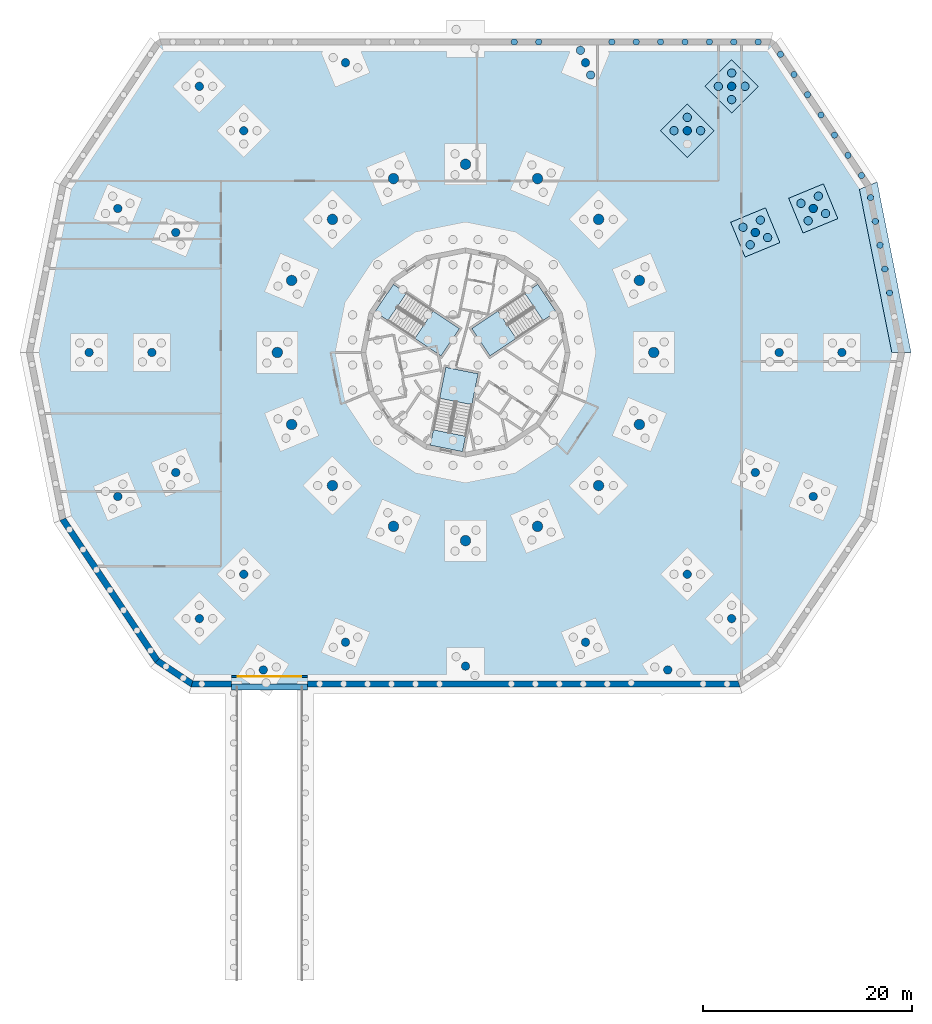
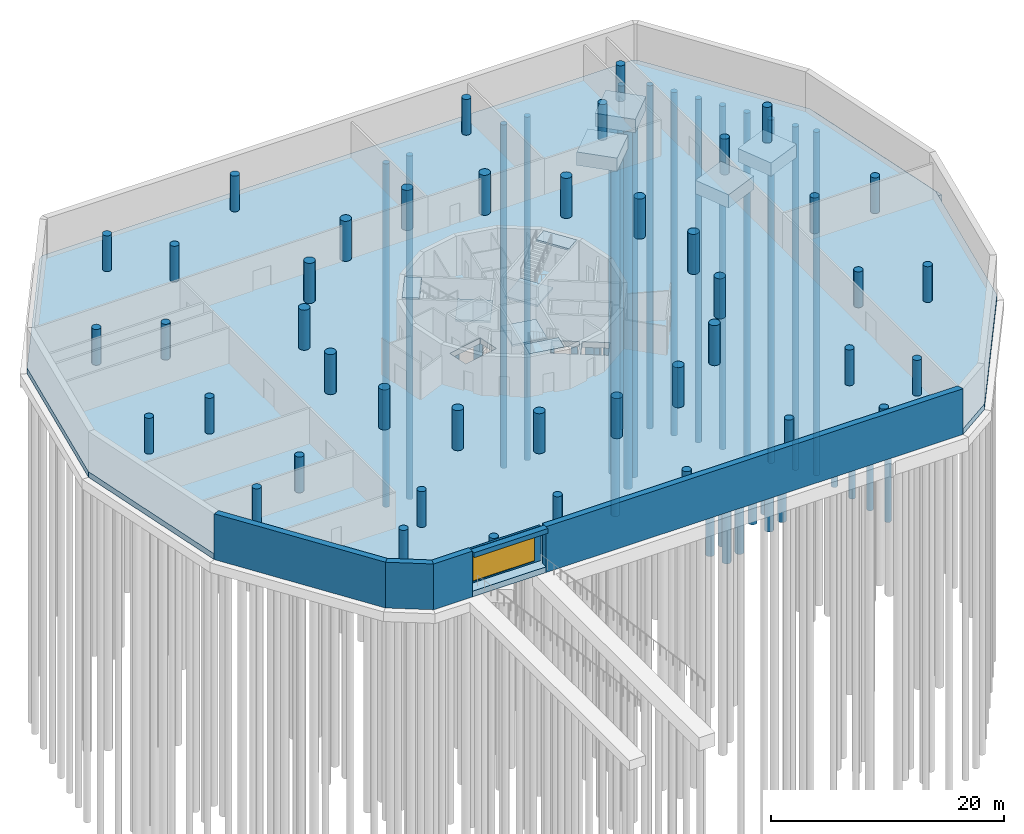
# One storey, part 3 of 8: 43 columns, 38 piles, 7 slabs, 5 footings, 5 walls, 1 beam, 1 door, 1 opening, 3 elements without a shape of their own.
"""IFC4 building model written with IfcOpenShell, lengths in metres."""

from ifc_helpers import new_model, si_unit, direction, frame, frame_2d, origin, origin_2d, place, context, subcontext, project, spatial, polyline, rectangle, circle, outline, extrude, material, layer, layer_set, material_profile, profile_set, type_object, element, fill, aggregate, save


model = new_model("IFC4")

# Units and contexts
model_context = context("Model", 3, precision=1e-05, world=origin(), true_north=direction((0.0, 1.0)))
body_context = subcontext(model_context, "Body", "Model", "MODEL_VIEW")
ifc_project = project(units=[si_unit("LENGTHUNIT", "METRE"), si_unit("AREAUNIT", "SQUARE_METRE"), si_unit("VOLUMEUNIT", "CUBIC_METRE"), si_unit("PLANEANGLEUNIT", "RADIAN"), si_unit("MASSUNIT", "GRAM", prefix="KILO")], contexts=[model_context])

# Site, building, storey
site_placement = place(None, origin())
site = spatial("IfcSite", under=ifc_project, at=site_placement, CompositionType="ELEMENT")
building_placement = place(site_placement, origin())
building = spatial("IfcBuilding", under=site, at=building_placement, Name="Ceibo Conservatory and Research Tower", CompositionType="ELEMENT")
storey_placement = place(building_placement, frame((0.0, 0.0, -4.199951171875)))
storey = spatial("IfcBuildingStorey", under=building, at=storey_placement, Name="B1", CompositionType="ELEMENT", Elevation=-4.199951171875)

# Piles
ifc_material_1 = material(Name="Concrete C35/45", Category="concrete")
ifc_material_profile_1 = material_profile(ifc_material_1, circle(Radius=0.300048828125, at=origin_2d()), Name="RC D600")
ifc_profile_set_1 = profile_set([ifc_material_profile_1], Name="Concrete C35/45")
pile_type_1 = type_object("IfcPileType", Name="Bored pile D600", PredefinedType="BORED", material=ifc_profile_set_1)
for number, where, z_axis, x_axis, name in (
    (1, (75.989990234375, 149.699951171875, -1.900146484375), (0.0, 0.0, -1.0), (1.0, 0.0, 0.0), "Pile B1.CAP.R05.J 07"),
    (2, (73.657470703125, 149.699951171875, -1.900146484375), (0.0, 0.0, -1.0), (1.0, 0.0, 0.0), "Pile B1.CAP.R05.J 08"),
    (3, (71.324951171875, 149.699951171875, -1.900146484375), (0.0, 0.0, -1.0), (1.0, 0.0, 0.0), "Pile B1.CAP.R05.J 09"),
    (4, (68.992431640625, 149.699951171875, -1.900146484375), (0.0, 0.0, -1.0), (1.0, 0.0, 0.0), "Pile B1.CAP.R05.J 10"),
    (5, (66.659912109375, 149.699951171875, -1.900146484375), (0.0, 0.0, -1.0), (1.0, 0.0, 0.0), "Pile B1.CAP.R05.J 11"),
    (6, (64.327392578125, 149.699951171875, -1.900146484375), (0.0, 0.0, -1.0), (1.0, 0.0, 0.0), "Pile B1.CAP.R05.J 12"),
    (7, (61.994873046875, 149.699951171875, -1.900146484375), (0.0, 0.0, -1.0), (1.0, 0.0, 0.0), "Pile B1.CAP.R05.J 13"),
    (8, (54.99755859375, 149.699951171875, -1.900146484375), (0.0, 0.0, -1.0), (1.0, 0.0, 0.0), "Pile B1.CAP.R05.J 14"),
    (9, (52.6650390625, 149.699951171875, -1.900146484375), (0.0, 0.0, -1.0), (1.0, 0.0, 0.0), "Pile B1.CAP.R05.J 15"),
    (10, (85.874755859375, 136.921875, -1.900146484375), (0.0, 0.0, -1.0), (1.0, 0.0, 0.0), "Pile B1.CAP.R05.J 25"),
    (11, (84.58349609375, 138.854248046875, -1.900146484375), (0.0, 0.0, -1.0), (1.0, 0.0, 0.0), "Pile B1.CAP.R05.J 26"),
    (12, (83.29248046875, 140.78662109375, -1.900146484375), (0.0, 0.0, -1.0), (1.0, 0.0, 0.0), "Pile B1.CAP.R05.J 27"),
    (13, (82.001220703125, 142.718994140625, -1.900146484375), (0.0, 0.0, -1.0), (1.0, 0.0, 0.0), "Pile B1.CAP.R05.J 28"),
    (14, (80.710205078125, 144.6513671875, -1.900146484375), (0.0, 0.0, -1.0), (1.0, 0.0, 0.0), "Pile B1.CAP.R05.J 29"),
    (15, (79.4189453125, 146.583740234375, -1.900146484375), (0.0, 0.0, -1.0), (1.0, 0.0, 0.0), "Pile B1.CAP.R05.J 30"),
    (16, (78.127685546875, 148.51611328125, -1.900146484375), (0.0, 0.0, -1.0), (1.0, 0.0, 0.0), "Pile B1.CAP.R05.J 31"),
    (17, (88.560546875, 125.698486328125, -1.5), (0.0, 0.0, -1.0), (1.0, 0.0, 0.0), "Pile B1.STRIP.F13 03"),
    (18, (88.107177734375, 127.977783203125, -1.5), (0.0, 0.0, -1.0), (1.0, 0.0, 0.0), "Pile B1.STRIP.F13 04"),
    (19, (87.65380859375, 130.25732421875, -1.5), (0.0, 0.0, -1.0), (1.0, 0.0, 0.0), "Pile B1.STRIP.F13 05"),
    (20, (87.200439453125, 132.53662109375, -1.5), (0.0, 0.0, -1.0), (1.0, 0.0, 0.0), "Pile B1.STRIP.F13 06"),
    (21, (86.7470703125, 134.81591796875, -1.5), (0.0, 0.0, -1.0), (1.0, 0.0, 0.0), "Pile B1.STRIP.F13 07"),
):
    element("IfcPile", number, at=place(storey_placement, frame(where, z_axis=z_axis, x_axis=x_axis)), inside=storey, type_object=pile_type_1, Name=name, PredefinedType="BORED", context=body_context, shape_type="SweptSolid", body=[
        extrude(circle(Radius=0.300048828125, at=origin_2d()), origin(), (0.0, 0.0, 1.0), 36.0),
    ])
ifc_material_profile_2 = material_profile(ifc_material_1, circle(Radius=0.39990234375, at=origin_2d()), Name="RC D800")
ifc_profile_set_2 = profile_set([ifc_material_profile_2], Name="Concrete C35/45")
pile_type_2 = type_object("IfcPileType", Name="Bored pile D800", PredefinedType="BORED", material=ifc_profile_set_2)
for number, where, z_axis, x_axis, name in (
    (22, (75.229248046875, 130.3046875, -1.900146484375), (0.0, 0.0, -1.0), (1.0, 0.0, 0.0), "Pile B1.CAP.R02 01"),
    (23, (76.892333984375, 130.993408203125, -1.900146484375), (0.0, 0.0, -1.0), (1.0, 0.0, 0.0), "Pile B1.CAP.R02 02"),
    (24, (76.203369140625, 132.656494140625, -1.900146484375), (0.0, 0.0, -1.0), (1.0, 0.0, 0.0), "Pile B1.CAP.R02 03"),
    (25, (74.54052734375, 131.967529296875, -1.900146484375), (0.0, 0.0, -1.0), (1.0, 0.0, 0.0), "Pile B1.CAP.R02 04"),
    (26, (70.486083984375, 141.213134765625, -1.900146484375), (0.0, 0.0, -1.0), (1.0, 0.0, 0.0), "Pile B1.CAP.R03 02"),
    (27, (69.213134765625, 142.486083984375, -1.900146484375), (0.0, 0.0, -1.0), (1.0, 0.0, 0.0), "Pile B1.CAP.R03 03"),
    (28, (67.9404296875, 141.213134765625, -1.900146484375), (0.0, 0.0, -1.0), (1.0, 0.0, 0.0), "Pile B1.CAP.R03 04"),
    (29, (59.967529296875, 146.54052734375, -1.900146484375), (0.0, 0.0, -1.0), (1.0, 0.0, 0.0), "Pile B1.CAP.R05.J 03"),
    (30, (58.993408203125, 148.892333984375, -1.900146484375), (0.0, 0.0, -1.0), (1.0, 0.0, 0.0), "Pile B1.CAP.R05.J 04"),
    (31, (80.772705078125, 132.6005859375, -1.900146484375), (0.0, 0.0, -1.0), (1.0, 0.0, 0.0), "Pile B1.CAPM.R02 01"),
    (32, (82.435546875, 133.28955078125, -1.900146484375), (0.0, 0.0, -1.0), (1.0, 0.0, 0.0), "Pile B1.CAPM.R02 02"),
    (33, (81.746826171875, 134.952392578125, -1.900146484375), (0.0, 0.0, -1.0), (1.0, 0.0, 0.0), "Pile B1.CAPM.R02 03"),
    (34, (80.083740234375, 134.263671875, -1.900146484375), (0.0, 0.0, -1.0), (1.0, 0.0, 0.0), "Pile B1.CAPM.R02 04"),
    (35, (73.455810546875, 144.18310546875, -1.900146484375), (0.0, 0.0, -1.0), (1.0, 0.0, 0.0), "Pile B1.CAPM.R03 01"),
    (36, (74.728515625, 145.455810546875, -1.900146484375), (0.0, 0.0, -1.0), (1.0, 0.0, 0.0), "Pile B1.CAPM.R03 02"),
    (37, (73.455810546875, 146.728515625, -1.900146484375), (0.0, 0.0, -1.0), (1.0, 0.0, 0.0), "Pile B1.CAPM.R03 03"),
    (38, (72.18310546875, 145.455810546875, -1.900146484375), (0.0, 0.0, -1.0), (1.0, 0.0, 0.0), "Pile B1.CAPM.R03 04"),
):
    element("IfcPile", number, at=place(storey_placement, frame(where, z_axis=z_axis, x_axis=x_axis)), inside=storey, type_object=pile_type_2, Name=name, PredefinedType="BORED", context=body_context, shape_type="SweptSolid", body=[
        extrude(circle(Radius=0.39990234375, at=origin_2d()), origin(), (0.0, 0.0, 1.0), 38.0),
    ])

# Footings
ifc_material_2 = material(Name="Concrete C40/50", Category="concrete")
ifc_layer_1 = layer(ifc_material_2, 1.39990234375)
ifc_layer_set_1 = layer_set([ifc_layer_1], Name="Concrete C40/50")
footing_type_1 = type_object("IfcFootingType", Name="Pile cap 3600x3600x1400", PredefinedType="PILE_CAP", material=ifc_layer_set_1)
for number, where, z_axis, x_axis, name in (
    (39, (74.7421875, 129.128662109375, -2.0), (0.0, 0.0, 1.0), (0.923879554627, 0.382683378973, 0.0), "Pile cap R2"),
    (40, (69.213134765625, 138.667724609375, -2.0), (0.0, 0.0, 1.0), (0.707106781187, 0.707106781187, 0.0), "Pile cap R3"),
    (41, (80.285400390625, 131.4248046875, -2.0), (0.0, 0.0, 1.0), (0.923879554627, 0.382683378973, 0.0), "Pile cap M2"),
    (42, (73.455810546875, 142.91015625, -2.0), (0.0, 0.0, 1.0), (0.707106781187, 0.707106781187, 0.0), "Pile cap M3"),
):
    element("IfcFooting", number, at=place(storey_placement, frame(where, z_axis=z_axis, x_axis=x_axis)), inside=storey, type_object=footing_type_1, Name=name, PredefinedType="PILE_CAP", context=body_context, shape_type="SweptSolid", body=[
        extrude(outline(polyline([(0.0, 0.0), (3.60009765625, 0.0), (3.60009765625, 3.60009765625), (0.0, 3.60009765625), (0.0, 0.0)])), origin(), (0.0, 0.0, 1.0), 1.39990234375),
    ])
ifc_layer_2 = layer(ifc_material_2, 1.0)
ifc_layer_set_2 = layer_set([ifc_layer_2], Name="Concrete C40/50")
footing_type_2 = type_object("IfcFootingType", Name="Strip cap 1800x1000", PredefinedType="STRIP_FOOTING", material=ifc_layer_set_2)
footing_placement = place(storey_placement, frame((0.0, 0.0, -1.60009765625)))
element("IfcFooting", 43, at=footing_placement, inside=storey, type_object=footing_type_2, Name="Strip cap B1.STRIP.F13", PredefinedType="STRIP_FOOTING", context=body_context, shape_type="SweptSolid", body=[
    extrude(outline(polyline([(90.61181640625, 120.0), (87.3681640625, 136.306884765625), (85.672607421875, 135.6044921875), (88.776611328125, 120.0), (90.61181640625, 120.0)])), origin(), (0.0, 0.0, 1.0), 1.0),
])

# Columns
ifc_material_profile_3 = material_profile(ifc_material_2, circle(Radius=0.5, at=origin_2d()), Name="RC D1000")
ifc_profile_set_3 = profile_set([ifc_material_profile_3], Name="Concrete C40/50")
column_type_1 = type_object("IfcColumnType", Name="RC column D1000 C40", PredefinedType="COLUMN", material=ifc_profile_set_3)
for number, where, z_axis, x_axis, name in (
    (44, (66.0, 120.0, -0.60009765625), (0.0, 0.0, 1.0), (1.0, 0.0, 0.0), "Column R1 B1"),
    (45, (64.6298828125, 126.88818359375, -0.60009765625), (0.0, 0.0, 1.0), (1.0, 0.0, 0.0), "Column R2 B1"),
    (46, (60.72802734375, 132.72802734375, -0.60009765625), (0.0, 0.0, 1.0), (1.0, 0.0, 0.0), "Column R3 B1"),
    (47, (54.88818359375, 136.6298828125, -0.60009765625), (0.0, 0.0, 1.0), (1.0, 0.0, 0.0), "Column R4 B1"),
    (48, (48.0, 138.0, -0.60009765625), (0.0, 0.0, 1.0), (1.0, 0.0, 0.0), "Column R5 B1"),
    (49, (41.11181640625, 136.6298828125, -0.60009765625), (0.0, 0.0, 1.0), (1.0, 0.0, 0.0), "Column R6 B1"),
    (50, (35.27197265625, 132.72802734375, -0.60009765625), (0.0, 0.0, 1.0), (1.0, 0.0, 0.0), "Column R7 B1"),
    (51, (31.3701171875, 126.88818359375, -0.60009765625), (0.0, 0.0, 1.0), (1.0, 0.0, 0.0), "Column R8 B1"),
    (52, (30.0, 120.0, -0.60009765625), (0.0, 0.0, 1.0), (1.0, 0.0, 0.0), "Column R9 B1"),
    (53, (31.3701171875, 113.11181640625, -0.60009765625), (0.0, 0.0, 1.0), (1.0, 0.0, 0.0), "Column R10 B1"),
    (54, (35.27197265625, 107.27197265625, -0.60009765625), (0.0, 0.0, 1.0), (1.0, 0.0, 0.0), "Column R11 B1"),
    (55, (41.11181640625, 103.3701171875, -0.60009765625), (0.0, 0.0, 1.0), (1.0, 0.0, 0.0), "Column R12 B1"),
    (56, (48.0, 102.0, -0.60009765625), (0.0, 0.0, 1.0), (1.0, 0.0, 0.0), "Column R13 B1"),
    (57, (54.88818359375, 103.3701171875, -0.60009765625), (0.0, 0.0, 1.0), (1.0, 0.0, 0.0), "Column R14 B1"),
    (58, (60.72802734375, 107.27197265625, -0.60009765625), (0.0, 0.0, 1.0), (1.0, 0.0, 0.0), "Column R15 B1"),
    (59, (64.6298828125, 113.11181640625, -0.60009765625), (0.0, 0.0, 1.0), (1.0, 0.0, 0.0), "Column R16 B1"),
):
    element("IfcColumn", number, at=place(storey_placement, frame(where, z_axis=z_axis, x_axis=x_axis)), inside=storey, type_object=column_type_1, Name=name, PredefinedType="COLUMN", context=body_context, shape_type="SweptSolid", body=[
        extrude(circle(Radius=0.5, at=origin_2d()), origin(), (0.0, 0.0, 1.0), 4.800048828125),
    ])
ifc_material_profile_4 = material_profile(ifc_material_2, circle(Radius=0.39990234375, at=origin_2d()), Name="RC D800")
ifc_profile_set_4 = profile_set([ifc_material_profile_4], Name="Concrete C40/50")
column_type_2 = type_object("IfcColumnType", Name="RC column D800 C40", PredefinedType="COLUMN", material=ifc_profile_set_4)
for number, where, z_axis, x_axis, name in (
    (60, (78.0, 120.0, -0.60009765625), (0.0, 0.0, 1.0), (1.0, 0.0, 0.0), "Basement column R1"),
    (61, (75.71630859375, 131.48046875, -0.60009765625), (0.0, 0.0, 1.0), (1.0, 0.0, 0.0), "Basement column R2"),
    (62, (69.213134765625, 141.213134765625, -0.60009765625), (0.0, 0.0, 1.0), (1.0, 0.0, 0.0), "Basement column R3"),
    (63, (59.48046875, 147.71630859375, -0.60009765625), (0.0, 0.0, 1.0), (1.0, 0.0, 0.0), "Basement column R4"),
    (64, (36.51953125, 147.71630859375, -0.60009765625), (0.0, 0.0, 1.0), (1.0, 0.0, 0.0), "Basement column R6"),
    (65, (26.786865234375, 141.213134765625, -0.60009765625), (0.0, 0.0, 1.0), (1.0, 0.0, 0.0), "Basement column R7"),
    (66, (20.28369140625, 131.48046875, -0.60009765625), (0.0, 0.0, 1.0), (1.0, 0.0, 0.0), "Basement column R8"),
    (67, (18.0, 120.0, -0.60009765625), (0.0, 0.0, 1.0), (1.0, 0.0, 0.0), "Basement column R9"),
    (68, (20.28369140625, 108.51953125, -0.60009765625), (0.0, 0.0, 1.0), (1.0, 0.0, 0.0), "Basement column R10"),
    (69, (26.786865234375, 98.786865234375, -0.60009765625), (0.0, 0.0, 1.0), (1.0, 0.0, 0.0), "Basement column R11"),
    (70, (36.51953125, 92.28369140625, -0.60009765625), (0.0, 0.0, 1.0), (1.0, 0.0, 0.0), "Basement column R12"),
    (71, (48.0, 90.0, -0.60009765625), (0.0, 0.0, 1.0), (1.0, 0.0, 0.0), "Basement column R13"),
    (72, (59.48046875, 92.28369140625, -0.60009765625), (0.0, 0.0, 1.0), (1.0, 0.0, 0.0), "Basement column R14"),
    (73, (69.213134765625, 98.786865234375, -0.60009765625), (0.0, 0.0, 1.0), (1.0, 0.0, 0.0), "Basement column R15"),
    (74, (75.71630859375, 108.51953125, -0.60009765625), (0.0, 0.0, 1.0), (1.0, 0.0, 0.0), "Basement column R16"),
    (75, (84.0, 120.0, -0.60009765625), (0.0, 0.0, 1.0), (1.0, 0.0, 0.0), "Basement column M1"),
    (76, (81.259765625, 133.776611328125, -0.60009765625), (0.0, 0.0, 1.0), (1.0, 0.0, 0.0), "Basement column M2"),
    (77, (73.455810546875, 145.455810546875, -0.60009765625), (0.0, 0.0, 1.0), (1.0, 0.0, 0.0), "Basement column M3"),
    (78, (22.544189453125, 145.455810546875, -0.60009765625), (0.0, 0.0, 1.0), (1.0, 0.0, 0.0), "Basement column M7"),
    (79, (14.740234375, 133.776611328125, -0.60009765625), (0.0, 0.0, 1.0), (1.0, 0.0, 0.0), "Basement column M8"),
    (80, (12.0, 120.0, -0.60009765625), (0.0, 0.0, 1.0), (1.0, 0.0, 0.0), "Basement column M9"),
    (81, (14.740234375, 106.223388671875, -0.60009765625), (0.0, 0.0, 1.0), (1.0, 0.0, 0.0), "Basement column M10"),
    (82, (22.544189453125, 94.544189453125, -0.60009765625), (0.0, 0.0, 1.0), (1.0, 0.0, 0.0), "Basement column M11"),
    (83, (28.6572265625, 89.637939453125, -0.60009765625), (0.0, 0.0, 1.0), (1.0, 0.0, 0.0), "Basement column M12"),
    (84, (67.3427734375, 89.637939453125, -0.60009765625), (0.0, 0.0, 1.0), (1.0, 0.0, 0.0), "Basement column M14"),
    (85, (73.455810546875, 94.544189453125, -0.60009765625), (0.0, 0.0, 1.0), (1.0, 0.0, 0.0), "Basement column M15"),
    (86, (81.259765625, 106.223388671875, -0.60009765625), (0.0, 0.0, 1.0), (1.0, 0.0, 0.0), "Basement column M16"),
):
    element("IfcColumn", number, at=place(storey_placement, frame(where, z_axis=z_axis, x_axis=x_axis)), inside=storey, type_object=column_type_2, Name=name, PredefinedType="COLUMN", context=body_context, shape_type="SweptSolid", body=[
        extrude(circle(Radius=0.39990234375, at=origin_2d()), origin(), (0.0, 0.0, 1.0), 4.35009765625),
    ])

# Beam
ifc_material_profile_5 = material_profile(ifc_material_1, rectangle(XDim=0.60009765625, YDim=0.5, at=origin_2d()), Name="RC 600x500")
ifc_profile_set_5 = profile_set([ifc_material_profile_5], Name="Concrete C35/45")
beam_type = type_object("IfcBeamType", Name="RC beam 600x500 C35", PredefinedType="BEAM", material=ifc_profile_set_5)
beam_placement = place(storey_placement, frame((25.60009765625, 88.0, 3.949951171875), z_axis=(1.0, 0.0, 0.0), x_axis=(0.0, 1.0, 0.0)))
element("IfcBeam", 87, at=beam_placement, inside=storey, type_object=beam_type, Name="Ramp portal beam", PredefinedType="BEAM", context=body_context, shape_type="SweptSolid", body=[
    extrude(rectangle(XDim=0.60009765625, YDim=0.5, at=origin_2d()), origin(), (0.0, 0.0, 1.0), 7.2998046875),
])

# Stair, slabs
stair_type = type_object("IfcStairType", Name="Escape stair 175 x 280", PredefinedType="HALF_TURN_STAIR", material=ifc_material_1)
stair_1_placement = place(storey_placement, origin())
stair_1 = element("IfcStair", 88, at=stair_1_placement, inside=storey, type_object=stair_type, Name="Escape stair ST1 B1", PredefinedType="HALF_TURN_STAIR")
ifc_layer_3 = layer(ifc_material_1, 0.199951171875)
ifc_layer_set_3 = layer_set([ifc_layer_3], Name="Concrete C35/45")
slab_type_1 = type_object("IfcSlabType", Name="Escape stair landing", PredefinedType="LANDING", material=ifc_layer_set_3)
slab_1_placement = place(storey_placement, frame((51.09765625, 123.964111328125, 1.89990234375), z_axis=(0.0, 0.0, 1.0), x_axis=(-0.831469612303, -0.55557023302, 0.0)))
slab_1 = element("IfcSlab", 89, at=slab_1_placement, type_object=slab_type_1, Name="ST1 landing 1", PredefinedType="LANDING", context=body_context, shape_type="SweptSolid", body=[
    extrude(outline(polyline([(0.0, 0.0), (3.02001953125, 0.0), (3.02001953125, 3.14990234375), (0.0, 3.14990234375), (0.0, 0.0)])), origin(), (0.0, 0.0, 1.0), 0.199951171875),
])
slab_2_placement = place(storey_placement, frame((54.90576171875, 126.508544921875, 4.0), z_axis=(0.0, 0.0, 1.0), x_axis=(-0.831469612303, -0.55557023302, 0.0)))
slab_2 = element("IfcSlab", 90, at=slab_2_placement, type_object=slab_type_1, Name="ST1 landing 2", PredefinedType="LANDING", context=body_context, shape_type="SweptSolid", body=[
    extrude(outline(polyline([(0.0, 0.0), (1.5, 0.0), (1.5, 3.150146484375), (0.0, 3.150146484375), (0.0, 0.0)])), origin(), (0.0, 0.0, 1.0), 0.199951171875),
])
aggregate(stair_1, [slab_1, slab_2])

stair_2_placement = place(storey_placement, origin())
stair_2 = element("IfcStair", 91, at=stair_2_placement, inside=storey, type_object=stair_type, Name="Escape stair ST2 B1", PredefinedType="HALF_TURN_STAIR")
slab_3_placement = place(storey_placement, frame((43.15234375, 121.344970703125, 1.89990234375), z_axis=(0.0, 0.0, 1.0), x_axis=(0.831469612303, -0.55557023302, 0.0)))
slab_3 = element("IfcSlab", 92, at=slab_3_placement, type_object=slab_type_1, Name="ST2 landing 1", PredefinedType="LANDING", context=body_context, shape_type="SweptSolid", body=[
    extrude(outline(polyline([(0.0, 0.0), (3.02001953125, 0.0), (3.02001953125, 3.14990234375), (0.0, 3.14990234375), (0.0, 0.0)])), origin(), (0.0, 0.0, 1.0), 0.199951171875),
])
slab_4_placement = place(storey_placement, frame((39.34423828125, 123.889404296875, 4.0), z_axis=(0.0, 0.0, 1.0), x_axis=(0.831469612303, -0.55557023302, 0.0)))
slab_4 = element("IfcSlab", 93, at=slab_4_placement, type_object=slab_type_1, Name="ST2 landing 2", PredefinedType="LANDING", context=body_context, shape_type="SweptSolid", body=[
    extrude(outline(polyline([(0.0, 0.0), (1.5, 0.0), (1.5, 3.150146484375), (0.0, 3.150146484375), (0.0, 0.0)])), origin(), (0.0, 0.0, 1.0), 0.199951171875),
])
aggregate(stair_2, [slab_3, slab_4])

stair_3_placement = place(storey_placement, origin())
stair_3 = element("IfcStair", 94, at=stair_3_placement, inside=storey, type_object=stair_type, Name="Escape stair ST3 B1", PredefinedType="HALF_TURN_STAIR")
slab_5_placement = place(storey_placement, frame((48.612548828125, 115.006591796875, 1.89990234375), z_axis=(0.0, 0.0, 1.0), x_axis=(0.195090322016, 0.980785280403, 0.0)))
slab_5 = element("IfcSlab", 95, at=slab_5_placement, type_object=slab_type_1, Name="ST3 landing 1", PredefinedType="LANDING", context=body_context, shape_type="SweptSolid", body=[
    extrude(outline(polyline([(0.0, 0.0), (3.02001953125, 0.0), (3.02001953125, 3.14990234375), (0.0, 3.14990234375), (0.0, 0.0)])), origin(), (0.0, 0.0, 1.0), 0.199951171875),
])
slab_6_placement = place(storey_placement, frame((47.718994140625, 110.5146484375, 4.0), z_axis=(0.0, 0.0, 1.0), x_axis=(0.195090322016, 0.980785280403, 0.0)))
slab_6 = element("IfcSlab", 96, at=slab_6_placement, type_object=slab_type_1, Name="ST3 landing 2", PredefinedType="LANDING", context=body_context, shape_type="SweptSolid", body=[
    extrude(outline(polyline([(0.0, 0.0), (1.5, 0.0), (1.5, 3.14990234375), (0.0, 3.14990234375), (0.0, 0.0)])), origin(), (0.0, 0.0, 1.0), 0.199951171875),
])
aggregate(stair_3, [slab_5, slab_6])

# Slab
ifc_layer_4 = layer(ifc_material_2, 0.60009765625)
ifc_layer_set_4 = layer_set([ifc_layer_4], Name="Concrete C40/50")
slab_type_2 = type_object("IfcSlabType", Name="RC base slab 600", PredefinedType="BASESLAB", material=ifc_layer_set_4)
slab_7_placement = place(storey_placement, frame((0.0, 0.0, -0.60009765625)))
element("IfcSlab", 97, at=slab_7_placement, inside=storey, type_object=slab_type_2, Name="Base slab B1", PredefinedType="BASESLAB", context=body_context, shape_type="SweptSolid", body=[
    extrude(outline(polyline([(77.698486328125, 149.698486328125), (77.247314453125, 150.0), (18.752685546875, 150.0), (18.301513671875, 149.698486328125), (9.197021484375, 136.07275390625), (6.0, 120.0), (9.197021484375, 103.92724609375), (18.301513671875, 90.301513671875), (21.74609375, 88.0), (74.25390625, 88.0), (77.698486328125, 90.301513671875), (86.802978515625, 103.92724609375), (90.0, 120.0), (86.802978515625, 136.07275390625), (77.698486328125, 149.698486328125)]), holes=[polyline([(51.37744140625, 114.074951171875), (53.373046875, 112.74169921875), (54.428466796875, 114.321533203125), (52.43310546875, 115.65478515625), (51.37744140625, 114.074951171875)]), polyline([(50.271240234375, 117.099365234375), (49.215576171875, 115.51953125), (51.211181640625, 114.18603515625), (52.266845703125, 115.765869140625), (50.271240234375, 117.099365234375)]), polyline([(45.556640625, 118.443359375), (45.14697265625, 120.503173828125), (41.71435546875, 119.8203125), (42.1240234375, 117.760498046875), (45.556640625, 118.443359375)])]), origin(), (0.0, 0.0, 1.0), 0.60009765625),
])

# Walls
ifc_layer_5 = layer(ifc_material_2, 0.60009765625)
ifc_layer_set_5 = layer_set([ifc_layer_5], Name="Concrete C40/50")
wall_type_1 = type_object("IfcWallType", Name="RC retaining wall 600 C40", PredefinedType="SOLIDWALL", material=ifc_layer_set_5)
wall_1_placement = place(storey_placement, frame((9.479736328125, 104.04443359375, -0.60009765625), z_axis=(0.0, 0.0, 1.0), x_axis=(0.555565694596, -0.831472644762, 0.0)))
element("IfcWall", 98, at=wall_1_placement, inside=storey, type_object=wall_type_1, Name="Retaining wall 07", PredefinedType="SOLIDWALL", context=body_context, shape_type="SweptSolid", body=[
    extrude(outline(polyline([(-0.0595703125, -0.300048828125), (16.327880859375, -0.300048828125), (16.208740234375, 0.300048828125), (0.0595703125, 0.300048828125), (-0.0595703125, -0.300048828125)])), origin(), (0.0, 0.0, 1.0), 4.800048828125),
])
wall_2_placement = place(storey_placement, frame((18.517822265625, 90.517822265625, -0.60009765625), z_axis=(0.0, 0.0, 1.0), x_axis=(0.83146646451, -0.555574943995, 0.0)))
element("IfcWall", 99, at=wall_2_placement, inside=storey, type_object=wall_type_1, Name="Retaining wall 08", PredefinedType="SOLIDWALL", context=body_context, shape_type="SweptSolid", body=[
    extrude(outline(polyline([(-0.0595703125, -0.300048828125), (4.0830078125, -0.300048828125), (3.90087890625, 0.300048828125), (0.0595703125, 0.300048828125), (-0.0595703125, -0.300048828125)])), origin(), (0.0, 0.0, 1.0), 4.800048828125),
])
wall_3_placement = place(storey_placement, frame((21.8369140625, 88.300048828125, -0.60009765625), z_axis=(0.0, 0.0, 1.0), x_axis=(1.0, 0.0, 0.0)))
element("IfcWall", 100, at=wall_3_placement, inside=storey, type_object=wall_type_1, Name="Retaining wall 09", PredefinedType="SOLIDWALL", context=body_context, shape_type="SweptSolid", body=[
    extrude(outline(polyline([(-0.091064453125, -0.300048828125), (3.76318359375, -0.300048828125), (3.76318359375, 0.300048828125), (0.091064453125, 0.300048828125), (-0.091064453125, -0.300048828125)])), origin(), (0.0, 0.0, 1.0), 4.800048828125),
])
wall_4_placement = place(storey_placement, frame((32.89990234375, 88.300048828125, -0.60009765625), z_axis=(0.0, 0.0, 1.0), x_axis=(1.0, 0.0, 0.0)))
element("IfcWall", 101, at=wall_4_placement, inside=storey, type_object=wall_type_1, Name="Retaining wall 09", PredefinedType="SOLIDWALL", context=body_context, shape_type="SweptSolid", body=[
    extrude(outline(polyline([(0.0, -0.300048828125), (41.354248046875, -0.300048828125), (41.172119140625, 0.300048828125), (0.0, 0.300048828125), (0.0, -0.300048828125)])), origin(), (0.0, 0.0, 1.0), 4.800048828125),
])

# Wall, opening, door
ifc_layer_6 = layer(ifc_material_1, 0.199951171875)
ifc_layer_set_6 = layer_set([ifc_layer_6], Name="Concrete C35/45")
wall_type_2 = type_object("IfcWallType", Name="Vehicle gate wall 200", PredefinedType="SOLIDWALL", material=ifc_layer_set_6)
wall_5_placement = place(storey_placement, frame((25.60009765625, 89.0, 0.121337890625), z_axis=(0.0, 0.0, 1.0), x_axis=(1.0, 0.0, 0.0)))
wall_5 = element("IfcWall", 102, at=wall_5_placement, inside=storey, type_object=wall_type_2, Name="Vehicle gate wall", PredefinedType="SOLIDWALL", context=body_context, shape_type="SweptSolid", body=[
    extrude(rectangle(XDim=7.2998046875, YDim=0.199951171875, at=frame_2d((3.64990234375, 0.0))), origin(), (0.0, 0.0, 1.0), 3.628662109375),
])
opening_placement = place(wall_5_placement, frame((0.599853515625, 0.0, 0.14990234375)))
opening = element("IfcOpeningElement", 103, at=opening_placement, cuts=wall_5, Name="Opening B1-GATE", PredefinedType="OPENING", context=body_context, shape_type="SweptSolid", body=[
    extrude(rectangle(XDim=6.10009765625, YDim=2.60009765625, at=frame_2d((3.050048828125, 1.300048828125))), frame((0.0, 0.10986328125, 0.0), z_axis=(0.0, -1.0, 0.0), x_axis=(1.0, 0.0, 0.0)), (0.0, 0.0, 1.0), 0.219970703125),
])
ifc_material_3 = material(Name="Galvanised sheet steel DX51D", Category="steel")
door_type = type_object("IfcDoorType", Name="Rolling gate", OperationType="ROLLINGUP", PredefinedType="GATE", material=ifc_material_3)
door_placement = place(opening_placement, frame((6.10009765625, 0.0, 0.0), z_axis=(0.0, 0.0, 1.0), x_axis=(-1.0, 0.0, 0.0)))
door = element("IfcDoor", 104, at=door_placement, inside=storey, type_object=door_type, Name="Vehicle gate B1-GATE", OperationType="ROLLINGUP", OverallHeight=2.60009765625, OverallWidth=6.10009765625, PredefinedType="GATE", context=body_context, shape_type="SweptSolid", body=[
    extrude(rectangle(XDim=6.10009765625, YDim=2.60009765625, at=frame_2d((3.050048828125, 1.300048828125))), frame((0.0, 0.02490234375, 0.0), z_axis=(0.0, -1.0, 0.0), x_axis=(1.0, 0.0, 0.0)), (0.0, 0.0, 1.0), 0.050048828125),
])
fill(opening, door)

save(model, "model.ifc")
